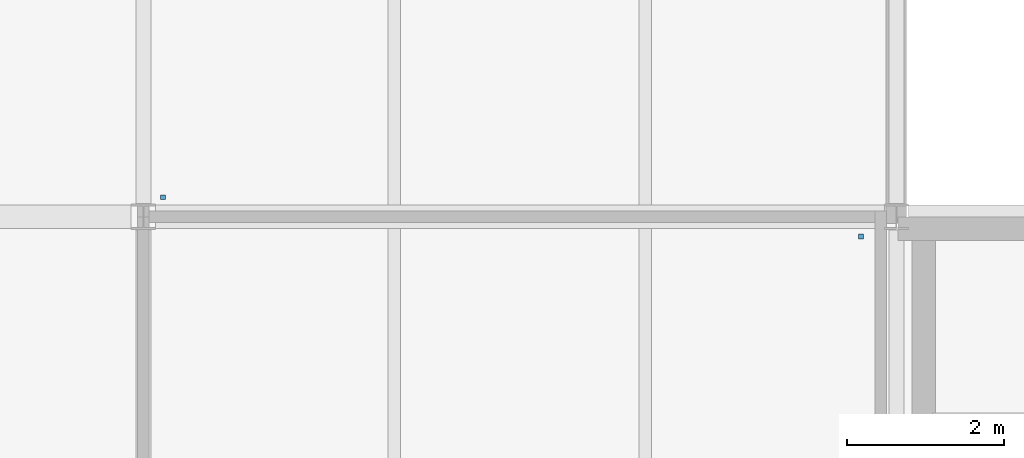
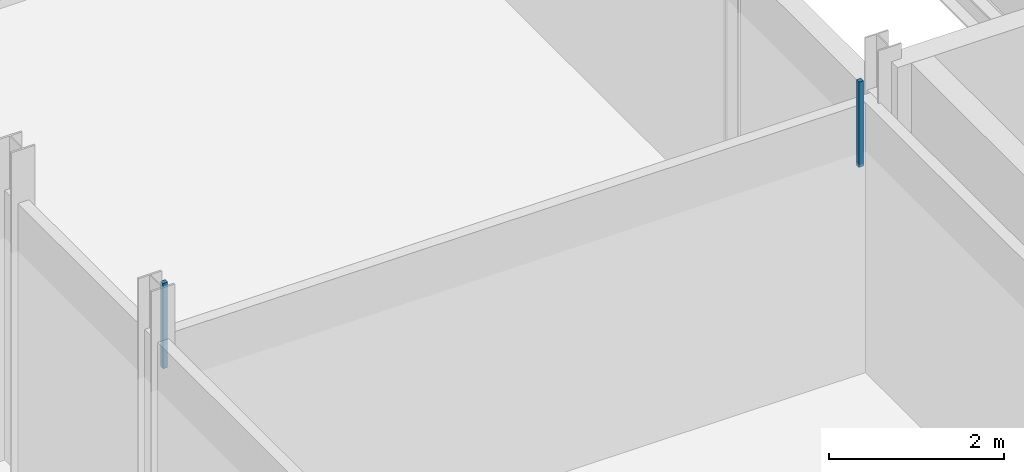
# One storey, part 75 of 107: 2 discrete accessories.
"""IFC4 building model written with IfcOpenShell, lengths in metres."""

from ifc_helpers import new_model, si_unit, direction, frame, origin, place, context, subcontext, project, spatial, polyline, outline, extrude, material, type_object, element, save


model = new_model("IFC4")

# Units and contexts
model_context = context("Model", 3, precision=1e-05, world=origin(), true_north=direction((0.0, 1.0)))
body_context = subcontext(model_context, "Body", "Model", "MODEL_VIEW")
ifc_project = project(units=[si_unit("LENGTHUNIT", "METRE"), si_unit("AREAUNIT", "SQUARE_METRE"), si_unit("VOLUMEUNIT", "CUBIC_METRE"), si_unit("PLANEANGLEUNIT", "RADIAN"), si_unit("MASSUNIT", "GRAM", prefix="KILO")], contexts=[model_context])

# Site, building, storey
site_placement = place(None, origin())
site = spatial("IfcSite", under=ifc_project, at=site_placement, CompositionType="ELEMENT")
building_placement = place(site_placement, origin())
building = spatial("IfcBuilding", under=site, at=building_placement, Name="Dunescarp Central Library", CompositionType="ELEMENT")
storey_placement = place(building_placement, frame((0.0, 0.0, 5.10009765625)))
storey = spatial("IfcBuildingStorey", under=building, at=storey_placement, Name="L01", CompositionType="ELEMENT", Elevation=5.10009765625)

# Discrete accessories
ifc_material = material(Name="Stainless steel Grade 316L", Category="steel")
discrete_accessory_type = type_object("IfcDiscreteAccessoryType", Name="ARC-ACC-BRK", PredefinedType="BRACKET", material=ifc_material)
discrete_accessory_1_placement = place(storey_placement, frame((0.0, 0.0, 3.059814453125)))
element("IfcDiscreteAccessory", 1, at=discrete_accessory_1_placement, inside=storey, type_object=discrete_accessory_type, Name="L01 ceiling hanger CLG-L01-057-H2", PredefinedType="BRACKET", context=body_context, shape_type="SweptSolid", body=[
    extrude(outline(polyline([(76.320068359375, 25.320068359375), (76.3798828125, 25.320068359375), (76.3798828125, 25.3798828125), (76.320068359375, 25.3798828125), (76.320068359375, 25.320068359375)])), origin(), (0.0, 0.0, 1.0), 1.190185546875),
])
discrete_accessory_2_placement = place(storey_placement, frame((0.0, 0.0, 3.059814453125)))
element("IfcDiscreteAccessory", 2, at=discrete_accessory_2_placement, inside=storey, type_object=discrete_accessory_type, Name="L01 ceiling hanger CLG-L01-058-H1", PredefinedType="BRACKET", context=body_context, shape_type="SweptSolid", body=[
    extrude(outline(polyline([(67.419921875, 25.820068359375), (67.47998046875, 25.820068359375), (67.47998046875, 25.8798828125), (67.419921875, 25.8798828125), (67.419921875, 25.820068359375)])), origin(), (0.0, 0.0, 1.0), 1.190185546875),
])

save(model, "model.ifc")
